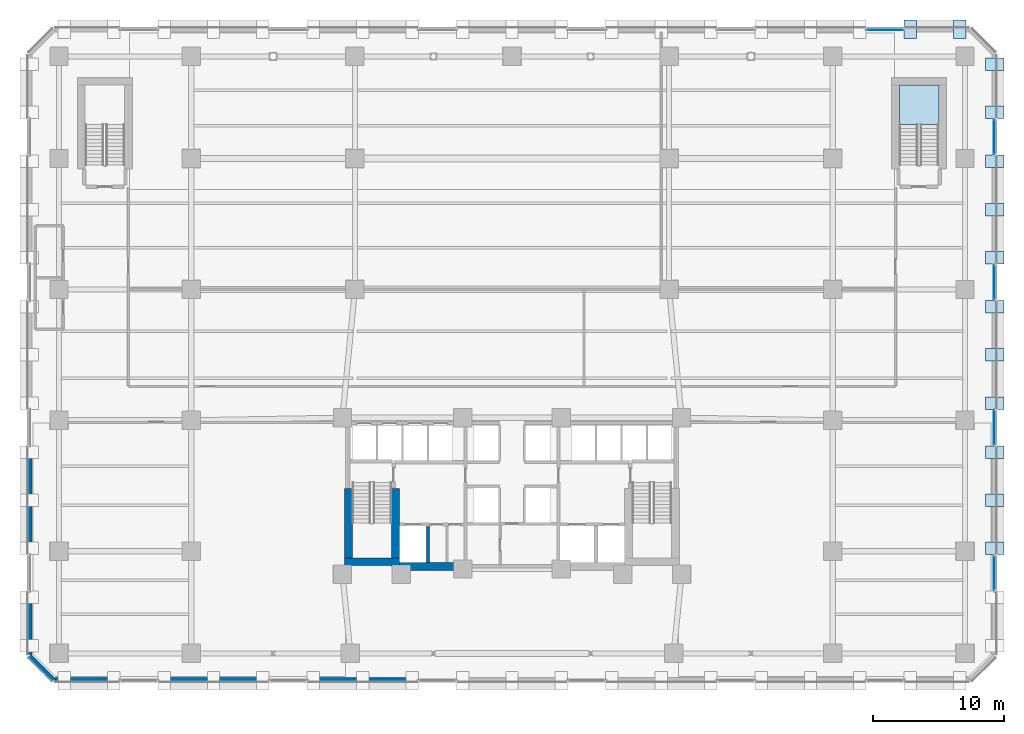
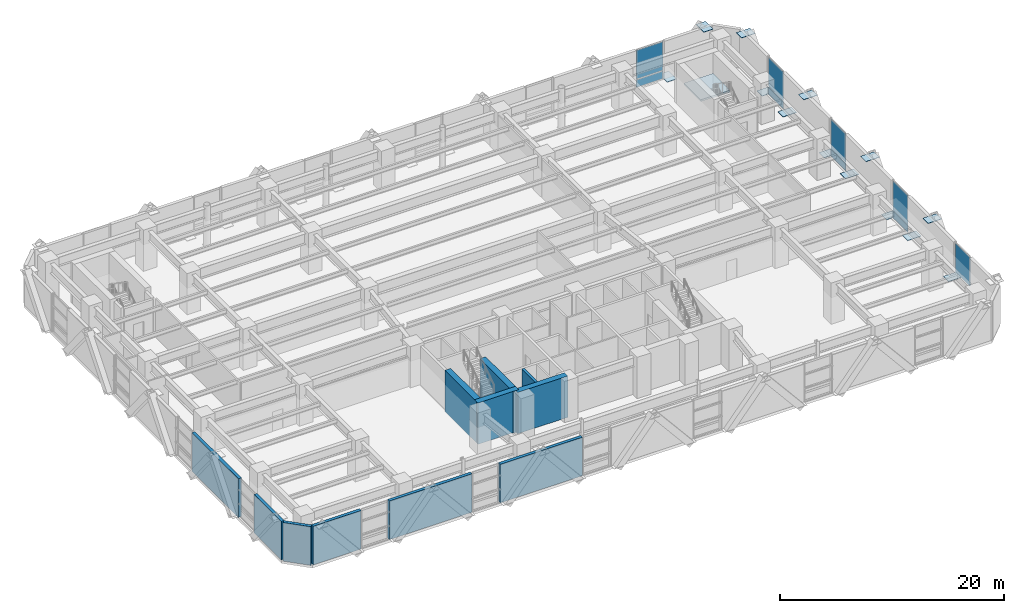
# One storey, part 13 of 26: 22 plates, 11 walls, 1 slab, 6 elements without a shape of their own.
"""IFC4 building model written with IfcOpenShell, lengths in metres."""

from ifc_helpers import new_model, si_unit, direction, frame, frame_2d, origin, origin_2d, place, context, subcontext, project, spatial, polyline, rectangle, outline, extrude, material, layer, layer_set, type_object, element, aggregate, save


model = new_model("IFC4")

# Units and contexts
model_context = context("Model", 3, precision=1e-05, world=origin(), true_north=direction((0.0, 1.0)))
body_context = subcontext(model_context, "Body", "Model", "MODEL_VIEW")
ifc_project = project(units=[si_unit("LENGTHUNIT", "METRE"), si_unit("AREAUNIT", "SQUARE_METRE"), si_unit("VOLUMEUNIT", "CUBIC_METRE"), si_unit("PLANEANGLEUNIT", "RADIAN"), si_unit("MASSUNIT", "GRAM", prefix="KILO")], contexts=[model_context])

# Site, building, storey
site_placement = place(None, origin())
site = spatial("IfcSite", under=ifc_project, at=site_placement, CompositionType="ELEMENT")
building_placement = place(site_placement, origin())
building = spatial("IfcBuilding", under=site, at=building_placement, Name="Quenlor Broadcast Tower", CompositionType="ELEMENT")
storey_placement = place(building_placement, frame((0.0, 0.0, 14.0)))
storey = spatial("IfcBuildingStorey", under=building, at=storey_placement, Name="L03", CompositionType="ELEMENT", Elevation=14.0)

# Curtain wall, plates
ifc_material_1 = material(Name="Architectural Terracotta and Low-E Glazing", Category="masonry")
curtain_wall_type = type_object("IfcCurtainWallType", Name="Station Concourse and Crown Terracotta Curtain Wall", PredefinedType="NOTDEFINED", material=ifc_material_1)
curtain_wall_1_placement = place(storey_placement, origin())
curtain_wall_1 = element("IfcCurtainWall", 1, at=curtain_wall_1_placement, inside=storey, type_object=curtain_wall_type, Name="L03 Curtain Wall CW6 (L03-N-FULL-G6)", PredefinedType="NOTDEFINED")
ifc_material_2 = material(Name="Double Glazed Low-E Solar Glass", Category="glass")
ifc_layer_1 = layer(ifc_material_2, 0.033935546875)
ifc_layer_set_1 = layer_set([ifc_layer_1], Name="CW6 Double Glazed Vision Panel 34")
plate_type_1 = type_object("IfcPlateType", Name="CW6 Double Glazed Vision Panel 34", PredefinedType="CURTAIN_PANEL", material=ifc_layer_set_1)
plate_1_placement = place(storey_placement, frame((28.5, 24.820068359375, 0.08203125), z_axis=(0.0, 0.0, 1.0), x_axis=(1.0, 0.0, 0.0)))
plate_1 = element("IfcPlate", 2, at=plate_1_placement, type_object=plate_type_1, Name="CW6 panel 1.1", PredefinedType="CURTAIN_PANEL", context=body_context, shape_type="SweptSolid", body=[
    extrude(rectangle(XDim=2.737060546875, YDim=0.033935546875, at=origin_2d()), origin(), (0.0, 0.0, 1.0), 0.826904296875),
])
plate_2_placement = place(storey_placement, frame((28.5, 24.820068359375, 0.990966796875), z_axis=(0.0, 0.0, 1.0), x_axis=(1.0, 0.0, 0.0)))
plate_2 = element("IfcPlate", 3, at=plate_2_placement, type_object=plate_type_1, Name="CW6 panel 1.2", PredefinedType="CURTAIN_PANEL", context=body_context, shape_type="SweptSolid", body=[
    extrude(rectangle(XDim=2.737060546875, YDim=0.033935546875, at=origin_2d()), origin(), (0.0, 0.0, 1.0), 3.126953125),
])
aggregate(curtain_wall_1, [plate_1, plate_2])

curtain_wall_2_placement = place(storey_placement, origin())
curtain_wall_2 = element("IfcCurtainWall", 4, at=curtain_wall_2_placement, inside=storey, type_object=curtain_wall_type, Name="L03 Curtain Wall CW6 (L03-E-FULL-G1)", PredefinedType="NOTDEFINED")
plate_3_placement = place(storey_placement, frame((36.820068359375, 16.64990234375, 0.08203125), z_axis=(0.0, 0.0, 1.0), x_axis=(0.0, -1.0, 0.0)))
plate_3 = element("IfcPlate", 5, at=plate_3_placement, type_object=plate_type_1, Name="CW6 panel 1.1", PredefinedType="CURTAIN_PANEL", context=body_context, shape_type="SweptSolid", body=[
    extrude(rectangle(XDim=2.630615234375, YDim=0.033935546875, at=origin_2d()), origin(), (0.0, 0.0, 1.0), 0.826904296875),
])
plate_4_placement = place(storey_placement, frame((36.820068359375, 16.64990234375, 0.990966796875), z_axis=(0.0, 0.0, 1.0), x_axis=(0.0, -1.0, 0.0)))
plate_4 = element("IfcPlate", 6, at=plate_4_placement, type_object=plate_type_1, Name="CW6 panel 1.2", PredefinedType="CURTAIN_PANEL", context=body_context, shape_type="SweptSolid", body=[
    extrude(rectangle(XDim=2.630615234375, YDim=0.033935546875, at=origin_2d()), origin(), (0.0, 0.0, 1.0), 3.126953125),
])
aggregate(curtain_wall_2, [plate_3, plate_4])

curtain_wall_3_placement = place(storey_placement, origin())
curtain_wall_3 = element("IfcCurtainWall", 7, at=curtain_wall_3_placement, inside=storey, type_object=curtain_wall_type, Name="L03 Curtain Wall CW6 (L03-E-FULL-G2)", PredefinedType="NOTDEFINED")
plate_5_placement = place(storey_placement, frame((36.820068359375, 5.550048828125, 0.08203125), z_axis=(0.0, 0.0, 1.0), x_axis=(0.0, -1.0, 0.0)))
plate_5 = element("IfcPlate", 8, at=plate_5_placement, type_object=plate_type_1, Name="CW6 panel 1.1", PredefinedType="CURTAIN_PANEL", context=body_context, shape_type="SweptSolid", body=[
    extrude(rectangle(XDim=2.630615234375, YDim=0.033935546875, at=origin_2d()), origin(), (0.0, 0.0, 1.0), 0.826904296875),
])
plate_6_placement = place(storey_placement, frame((36.820068359375, 5.550048828125, 0.990966796875), z_axis=(0.0, 0.0, 1.0), x_axis=(0.0, -1.0, 0.0)))
plate_6 = element("IfcPlate", 9, at=plate_6_placement, type_object=plate_type_1, Name="CW6 panel 1.2", PredefinedType="CURTAIN_PANEL", context=body_context, shape_type="SweptSolid", body=[
    extrude(rectangle(XDim=2.630615234375, YDim=0.033935546875, at=origin_2d()), origin(), (0.0, 0.0, 1.0), 3.126953125),
])
aggregate(curtain_wall_3, [plate_5, plate_6])

curtain_wall_4_placement = place(storey_placement, origin())
curtain_wall_4 = element("IfcCurtainWall", 10, at=curtain_wall_4_placement, inside=storey, type_object=curtain_wall_type, Name="L03 Curtain Wall CW6 (L03-E-FULL-G3)", PredefinedType="NOTDEFINED")
plate_7_placement = place(storey_placement, frame((36.820068359375, -5.550048828125, 0.08203125), z_axis=(0.0, 0.0, 1.0), x_axis=(0.0, -1.0, 0.0)))
plate_7 = element("IfcPlate", 11, at=plate_7_placement, type_object=plate_type_1, Name="CW6 panel 1.1", PredefinedType="CURTAIN_PANEL", context=body_context, shape_type="SweptSolid", body=[
    extrude(rectangle(XDim=2.630615234375, YDim=0.033935546875, at=origin_2d()), origin(), (0.0, 0.0, 1.0), 0.826904296875),
])
plate_8_placement = place(storey_placement, frame((36.820068359375, -5.550048828125, 0.990966796875), z_axis=(0.0, 0.0, 1.0), x_axis=(0.0, -1.0, 0.0)))
plate_8 = element("IfcPlate", 12, at=plate_8_placement, type_object=plate_type_1, Name="CW6 panel 1.2", PredefinedType="CURTAIN_PANEL", context=body_context, shape_type="SweptSolid", body=[
    extrude(rectangle(XDim=2.630615234375, YDim=0.033935546875, at=origin_2d()), origin(), (0.0, 0.0, 1.0), 3.126953125),
])
aggregate(curtain_wall_4, [plate_7, plate_8])

# Curtain wall, plate
curtain_wall_5_placement = place(storey_placement, origin())
curtain_wall_5 = element("IfcCurtainWall", 13, at=curtain_wall_5_placement, inside=storey, type_object=curtain_wall_type, Name="L03 Curtain Wall CW6 (L03-E-FULL-G4)", PredefinedType="NOTDEFINED")
plate_9_placement = place(storey_placement, frame((36.820068359375, -16.64990234375, 0.990966796875), z_axis=(0.0, 0.0, 1.0), x_axis=(0.0, -1.0, 0.0)))
plate_9 = element("IfcPlate", 14, at=plate_9_placement, type_object=plate_type_1, Name="CW6 panel 1.2", PredefinedType="CURTAIN_PANEL", context=body_context, shape_type="SweptSolid", body=[
    extrude(rectangle(XDim=2.630615234375, YDim=0.033935546875, at=origin_2d()), origin(), (0.0, 0.0, 1.0), 3.126953125),
])
aggregate(curtain_wall_5, [plate_9])

# Stair, slab
ifc_material_3 = material(Name="Precast concrete C40/50", Category="concrete")
stair_type = type_object("IfcStairType", Name="Precast Concrete C40/50 Dogleg Stair H450", PredefinedType="HALF_TURN_STAIR", material=ifc_material_3)
stair_placement = place(storey_placement, origin())
stair = element("IfcStair", 15, at=stair_placement, inside=storey, type_object=stair_type, Name="L03 Station Podium North-East Exit Stair ST-4", PredefinedType="HALF_TURN_STAIR")
ifc_material_4 = material(Name="Precast concrete C40/50", Category="concrete")
ifc_layer_2 = layer(ifc_material_4, 0.199951171875)
ifc_layer_set_2 = layer_set([ifc_layer_2], Name="Precast Concrete C40/50 Stair Landing Slab 200")
slab_type = type_object("IfcSlabType", Name="Precast Concrete C40/50 Stair Landing Slab 200", PredefinedType="LANDING", material=ifc_layer_set_2)
slab_placement = place(storey_placement, frame((0.0, 0.0, 2.050048828125)))
slab = element("IfcSlab", 16, at=slab_placement, type_object=slab_type, Name="ST-4 landing 1", PredefinedType="LANDING", context=body_context, shape_type="SweptSolid", body=[
    extrude(outline(polyline([(32.60009765625, 17.580078125), (32.60009765625, 20.60009765625), (29.60009765625, 20.60009765625), (29.60009765625, 17.580078125), (32.60009765625, 17.580078125)])), origin(), (0.0, 0.0, 1.0), 0.199951171875),
])
aggregate(stair, [slab])

# Plates
ifc_material_5 = material(Name="Steel S355", Category="steel")
ifc_layer_3 = layer(ifc_material_5, 0.035888671875)
ifc_layer_set_3 = layer_set([ifc_layer_3], Name="Transfer Truss Steel S355 Gusset Node Plate 1400x950x36")
plate_type_2 = type_object("IfcPlateType", Name="Transfer Truss Steel S355 Gusset Node Plate 1400x950x36", PredefinedType="SHEET", material=ifc_layer_set_3)
for number, where, z_axis, x_axis, name in (
    (17, (30.4228515625, 24.8798828125, 0.0419921875), (0.0, 0.0, 1.0), (0.0, 1.0, 0.0), "L03 Podium Lattice Tie Gusset N-B17"),
    (18, (34.199951171875, 24.8798828125, 4.14208984375), (0.0, 0.0, 1.0), (0.0, 1.0, 0.0), "L03 Podium Lattice Tie Gusset N-T18"),
    (19, (36.8798828125, 14.77783203125, 0.0419921875), (0.0, 0.0, 1.0), (1.0, 0.0, 0.0), "L03 Podium Lattice Tie Gusset E-B2"),
    (20, (36.8798828125, 11.10009765625, 4.14208984375), (0.0, 0.0, 1.0), (1.0, 0.0, 0.0), "L03 Podium Lattice Tie Gusset E-T3"),
    (21, (36.8798828125, 18.522216796875, 0.0419921875), (0.0, 0.0, 1.0), (1.0, 0.0, 0.0), "L03 Podium Lattice Tie Gusset E-B1"),
    (22, (36.8798828125, 22.199951171875, 4.14208984375), (0.0, 0.0, 1.0), (1.0, 0.0, 0.0), "L03 Podium Lattice Tie Gusset E-T0"),
    (23, (36.8798828125, 3.677734375, 0.0419921875), (0.0, 0.0, 1.0), (1.0, 0.0, 0.0), "L03 Podium Lattice Tie Gusset E-B5"),
    (24, (36.8798828125, 0.0, 4.14208984375), (0.0, 0.0, 1.0), (1.0, 0.0, 0.0), "L03 Podium Lattice Tie Gusset E-T6"),
    (25, (36.8798828125, 7.422119140625, 0.0419921875), (0.0, 0.0, 1.0), (1.0, 0.0, 0.0), "L03 Podium Lattice Tie Gusset E-B4"),
    (26, (36.8798828125, -7.422119140625, 0.0419921875), (0.0, 0.0, 1.0), (1.0, 0.0, 0.0), "L03 Podium Lattice Tie Gusset E-B8"),
    (27, (36.8798828125, -11.10009765625, 4.14208984375), (0.0, 0.0, 1.0), (1.0, 0.0, 0.0), "L03 Podium Lattice Tie Gusset E-T9"),
    (28, (36.8798828125, -3.677734375, 0.0419921875), (0.0, 0.0, 1.0), (1.0, 0.0, 0.0), "L03 Podium Lattice Tie Gusset E-B7"),
    (29, (36.8798828125, -14.77783203125, 0.0419921875), (0.0, 0.0, 1.0), (1.0, 0.0, 0.0), "L03 Podium Lattice Tie Gusset E-B10"),
):
    element("IfcPlate", number, at=place(storey_placement, frame(where, z_axis=z_axis, x_axis=x_axis)), inside=storey, type_object=plate_type_2, Name=name, PredefinedType="SHEET", context=body_context, shape_type="SweptSolid", body=[
        extrude(rectangle(XDim=1.39990234375, YDim=0.949951171875, at=origin_2d()), origin(), (0.0, 0.0, 1.0), 0.035888671875),
    ])

# Walls
ifc_material_6 = material(Name="Concrete C65/80", Category="concrete")
ifc_layer_4 = layer(ifc_material_6, 0.60009765625)
ifc_layer_set_4 = layer_set([ifc_layer_4], Name="Core Concrete C65/80 Shear Wall 600")
wall_type_1 = type_object("IfcWallType", Name="Core Concrete C65/80 Shear Wall 600", PredefinedType="SHEAR", material=ifc_layer_set_4)
wall_1_placement = place(storey_placement, frame((-12.800048828125, -15.800048828125, 0.0), z_axis=(0.0, 0.0, 1.0), x_axis=(1.0, 0.0, 0.0)))
element("IfcWall", 30, at=wall_1_placement, inside=storey, type_object=wall_type_1, Name="L03 Core Shear Wall WS-W1", PredefinedType="SHEAR", context=body_context, shape_type="SweptSolid", body=[
    extrude(rectangle(XDim=4.199951171875, YDim=0.60009765625, at=frame_2d((2.10009765625, 0.0))), origin(), (0.0, 0.0, 1.0), 4.5),
])
wall_2_placement = place(storey_placement, frame((-8.89990234375, -16.14990234375, 0.0), z_axis=(0.0, 0.0, 1.0), x_axis=(1.0, 0.0, 0.0)))
element("IfcWall", 31, at=wall_2_placement, inside=storey, type_object=wall_type_1, Name="L03 Core Shear Wall WS-W2", PredefinedType="SHEAR", context=body_context, shape_type="SweptSolid", body=[
    extrude(rectangle(XDim=5.14990234375, YDim=0.60009765625, at=frame_2d((2.574951171875, 0.0))), origin(), (0.0, 0.0, 1.0), 4.5),
])
wall_3_placement = place(storey_placement, frame((-12.5, -15.800048828125, 0.0), z_axis=(0.0, 0.0, 1.0), x_axis=(0.0, 1.0, 0.0)))
element("IfcWall", 32, at=wall_3_placement, inside=storey, type_object=wall_type_1, Name="L03 Core Shear Wall WF-W", PredefinedType="SHEAR", context=body_context, shape_type="SweptSolid", body=[
    extrude(rectangle(XDim=5.60009765625, YDim=0.60009765625, at=frame_2d((2.800048828125, 0.0))), origin(), (0.0, 0.0, 1.0), 4.5),
])
wall_4_placement = place(storey_placement, frame((-8.89990234375, -16.14990234375, 0.0), z_axis=(0.0, 0.0, 1.0), x_axis=(0.0, 1.0, 0.0)))
element("IfcWall", 33, at=wall_4_placement, inside=storey, type_object=wall_type_1, Name="L03 Core Shear Wall WI-W", PredefinedType="SHEAR", context=body_context, shape_type="SweptSolid", body=[
    extrude(rectangle(XDim=5.949951171875, YDim=0.60009765625, at=frame_2d((2.97509765625, 0.0))), origin(), (0.0, 0.0, 1.0), 4.5),
])
ifc_material_7 = material(Name="Concrete C40/50", Category="concrete")
ifc_layer_5 = layer(ifc_material_7, 0.25)
ifc_layer_set_5 = layer_set([ifc_layer_5], Name="Fire Rated Concrete C40/50 Core Wall 250")
wall_type_2 = type_object("IfcWallType", Name="Fire Rated Concrete C40/50 Core Wall 250", PredefinedType="PARTITIONING", material=ifc_layer_set_5)
wall_5_placement = place(storey_placement, frame((-6.419921875, -15.847900390625, 0.0), z_axis=(0.0, 0.0, 1.0), x_axis=(0.0, 1.0, 0.0)))
element("IfcWall", 34, at=wall_5_placement, inside=storey, type_object=wall_type_2, Name="L03 Interior Wall CW-FF1-E", PredefinedType="PARTITIONING", context=body_context, shape_type="SweptSolid", body=[
    extrude(rectangle(XDim=2.7578125, YDim=0.25, at=frame_2d((1.37890625, 0.0))), origin(), (0.0, 0.0, 1.0), 4.199951171875),
])
ifc_material_8 = material(Name="Precast concrete C40/50", Category="concrete")
ifc_layer_6 = layer(ifc_material_8, 0.320068359375)
ifc_layer_set_6 = layer_set([ifc_layer_6], Name="Station Podium Precast Concrete C40/50 Facade Wall 320")
wall_type_3 = type_object("IfcWallType", Name="Station Podium Precast Concrete C40/50 Facade Wall 320", PredefinedType="STANDARD", material=ifc_layer_set_6)
for number, where, z_axis, x_axis, name in (
    (35, (-7.150390625, -24.820068359375, 0.0), (0.0, 0.0, 1.0), (-1.0, 0.0, 0.0), "L03 Exterior Wall L03-S-FULL-SP5"),
    (36, (-18.550537109375, -24.820068359375, 0.0), (0.0, 0.0, 1.0), (-1.0, 0.0, 0.0), "L03 Exterior Wall L03-S-FULL-SP6"),
):
    element("IfcWall", number, at=place(storey_placement, frame(where, z_axis=z_axis, x_axis=x_axis)), inside=storey, type_object=wall_type_3, Name=name, PredefinedType="STANDARD", context=body_context, shape_type="SweptSolid", body=[
        extrude(rectangle(XDim=8.4990234375, YDim=0.320068359375, at=frame_2d((4.24951171875, 0.0))), origin(), (0.0, 0.0, 1.0), 4.199951171875),
    ])
wall_6_placement = place(storey_placement, frame((-29.950439453125, -24.820068359375, 0.0), z_axis=(0.0, 0.0, 1.0), x_axis=(-1.0, 0.0, 0.0)))
element("IfcWall", 37, at=wall_6_placement, inside=storey, type_object=wall_type_3, Name="L03 Exterior Wall L03-S-FULL-SP7", PredefinedType="STANDARD", context=body_context, shape_type="SweptSolid", body=[
    extrude(rectangle(XDim=4.949462890625, YDim=0.320068359375, at=frame_2d((2.474609375, 0.0))), origin(), (0.0, 0.0, 1.0), 4.199951171875),
])
wall_7_placement = place(storey_placement, frame((-36.820068359375, -22.89990234375, 0.0), z_axis=(0.0, 0.0, 1.0), x_axis=(0.0, 1.0, 0.0)))
element("IfcWall", 38, at=wall_7_placement, inside=storey, type_object=wall_type_3, Name="L03 Exterior Wall L03-W-FULL-SP1", PredefinedType="STANDARD", context=body_context, shape_type="SweptSolid", body=[
    extrude(rectangle(XDim=4.8525390625, YDim=0.320068359375, at=frame_2d((2.42626953125, 0.0))), origin(), (0.0, 0.0, 1.0), 4.199951171875),
])
wall_8_placement = place(storey_placement, frame((-36.820068359375, -15.252685546875, 0.0), z_axis=(0.0, 0.0, 1.0), x_axis=(0.0, 1.0, 0.0)))
element("IfcWall", 39, at=wall_8_placement, inside=storey, type_object=wall_type_3, Name="L03 Exterior Wall L03-W-FULL-SP2", PredefinedType="STANDARD", context=body_context, shape_type="SweptSolid", body=[
    extrude(rectangle(XDim=8.305419921875, YDim=0.320068359375, at=frame_2d((4.15283203125, 0.0))), origin(), (0.0, 0.0, 1.0), 4.199951171875),
])
wall_9_placement = place(storey_placement, frame((-35.0, -24.820068359375, 0.0), z_axis=(0.0, 0.0, 1.0), x_axis=(-0.707106781187, 0.707106781187, 0.0)))
element("IfcWall", 40, at=wall_9_placement, inside=storey, type_object=wall_type_3, Name="L03 Exterior Wall L03-EW-CSW", PredefinedType="STANDARD", context=body_context, shape_type="SweptSolid", body=[
    extrude(rectangle(XDim=2.573974609375, YDim=0.320068359375, at=frame_2d((1.287109375, 0.0))), origin(), (0.0, 0.0, 1.0), 4.199951171875),
])

save(model, "model.ifc")
